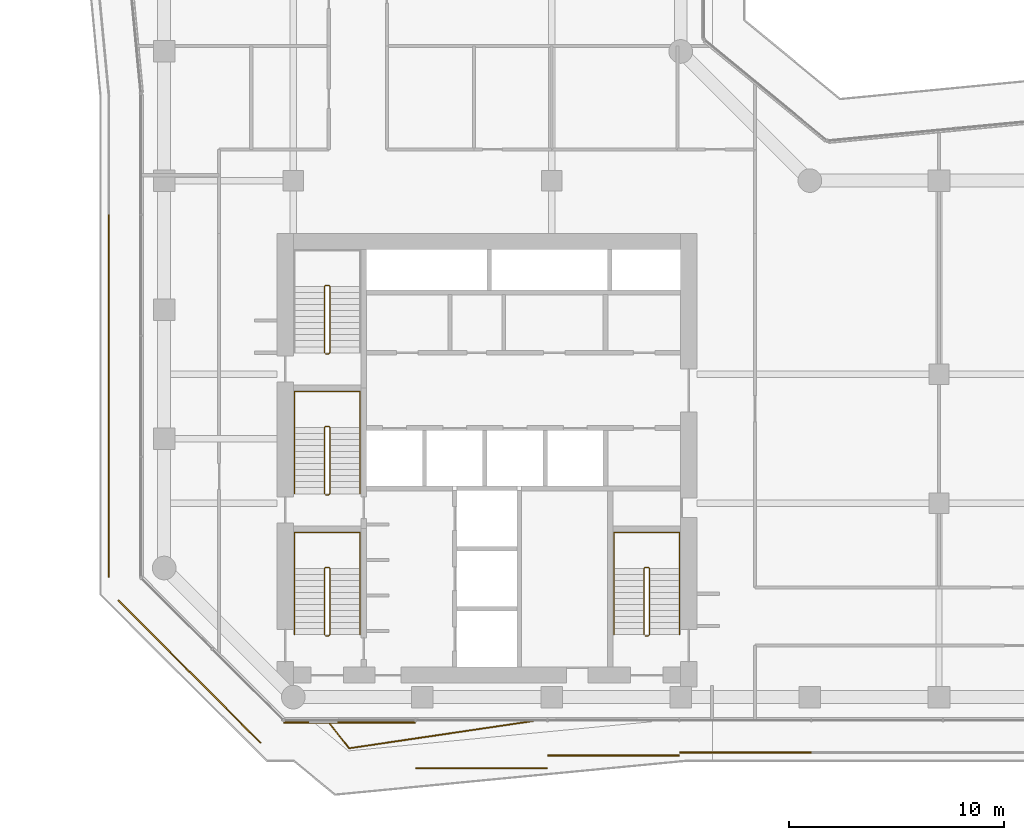
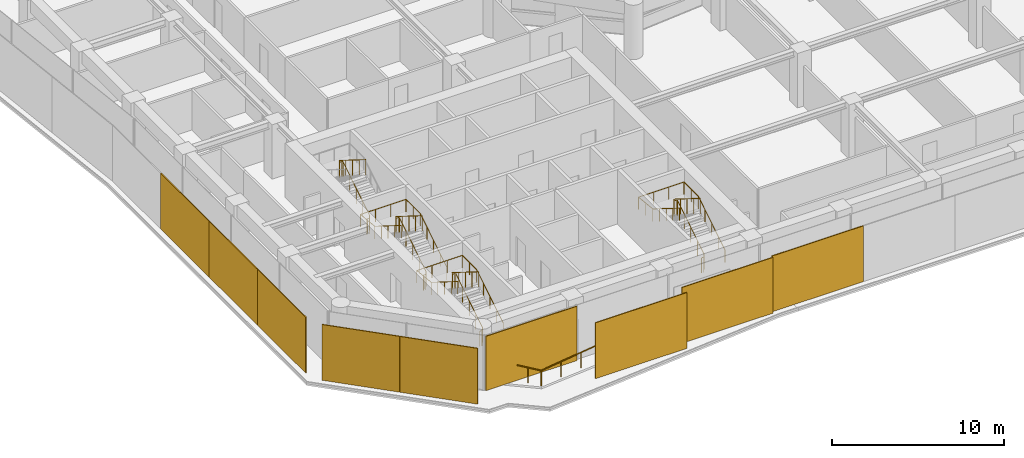
# One storey, part 27 of 28: 9 coverings, 8 railings.
"""IFC4 building model written with IfcOpenShell, lengths in metres."""

import ifcopenshell
import ifcopenshell.guid

model = None  # the IFC model being written
_history = None  # IfcOwnerHistory: only IFC2X3 demands one
_inside = {}  # id of a spatial element -> (the spatial element, [elements in it])
_under = {}  # id of a project, library or spatial element -> (it, [spatial elements below it])
_declared = {}  # id of a project -> (the project, [libraries it declares])
_typed = {}  # id of a type object -> (the type object, [elements of that type])
_made_of = {}  # id of a material, layer set ... -> (it, [elements and type objects made of it])


def new_model(schema):
    """Start an empty IFC model of exactly this schema.

    Asked for "IFC4X3", IfcOpenShell would pick the latest addendum, in which some entities
    have other attributes; the version numbers below select the first issue.
    IFC2X3 requires an IfcOwnerHistory on every rooted entity: one is made here for all.
    """
    global model, _history
    if schema == "IFC4X3":
        model = ifcopenshell.file(schema_version=(4, 3, 0, 0))
    else:
        model = ifcopenshell.file(schema=schema)
    _inside.clear()
    _under.clear()
    _declared.clear()
    _typed.clear()
    _made_of.clear()
    _history = None
    if model.schema == "IFC2X3":
        org = make("IfcOrganization", Name="unknown")
        user = make(
            "IfcPersonAndOrganization",
            ThePerson=make("IfcPerson", FamilyName="unknown"),
            TheOrganization=org,
        )
        app = make(
            "IfcApplication",
            ApplicationDeveloper=org,
            Version="unknown",
            ApplicationFullName="unknown",
            ApplicationIdentifier="unknown",
        )
        _history = make(
            "IfcOwnerHistory",
            OwningUser=user,
            OwningApplication=app,
            ChangeAction="ADDED",
            CreationDate=0,
        )
    return model


def make(cls, **values):
    """One entity of the class cls with the attributes given. An attribute that is None is left unset."""
    return model.create_entity(
        cls, **{name: value for name, value in values.items() if value is not None}
    )


def rooted(cls, **values):
    """An entity with a GlobalId (a new one), such as an element, a storey or a relation."""
    return make(cls, GlobalId=ifcopenshell.guid.new(), OwnerHistory=_history, **values)


def si_unit(unit_type, name, prefix=None):
    """IfcSIUnit, for example si_unit("LENGTHUNIT", "METRE", prefix="MILLI")."""
    return make("IfcSIUnit", UnitType=unit_type, Prefix=prefix, Name=name)


def assignment(units):
    """IfcUnitAssignment: the units of a project."""
    return None if units is None else make("IfcUnitAssignment", Units=units)


def point(xyz):
    """IfcCartesianPoint."""
    return None if xyz is None else make("IfcCartesianPoint", Coordinates=xyz)


def direction(xyz):
    """IfcDirection."""
    return None if xyz is None else make("IfcDirection", DirectionRatios=xyz)


def frame(location, z_axis=None, x_axis=None):
    """IfcAxis2Placement3D, a coordinate frame: its origin and axes. An axis left out is left unset."""
    return make(
        "IfcAxis2Placement3D",
        Location=point(location),
        Axis=direction(z_axis),
        RefDirection=direction(x_axis),
    )


def frame_2d(location, x_axis=None):
    """IfcAxis2Placement2D, a coordinate frame in the plane: its origin and x axis."""
    return make(
        "IfcAxis2Placement2D", Location=point(location), RefDirection=direction(x_axis)
    )


def origin():
    """The frame at (0, 0, 0) with its axes left unset."""
    return frame((0.0, 0.0, 0.0))


def origin_2d():
    """The frame at (0, 0) in the plane with its x axis left unset."""
    return frame_2d((0.0, 0.0))


def place(relative_to, where):
    """IfcLocalPlacement: puts the frame where relative to a parent placement (None: the world)."""
    return make(
        "IfcLocalPlacement", PlacementRelTo=relative_to, RelativePlacement=where
    )


def context(
    kind, dimensions, precision=None, world=None, true_north=None, identifier=None
):
    """IfcGeometricRepresentationContext, for example the 3D "Model" context."""
    return make(
        "IfcGeometricRepresentationContext",
        ContextIdentifier=identifier,
        ContextType=kind,
        CoordinateSpaceDimension=dimensions,
        Precision=precision,
        WorldCoordinateSystem=world,
        TrueNorth=true_north,
    )


def subcontext(parent, identifier, kind, view, scale=None):
    """IfcGeometricRepresentationSubContext, for example "Body" below "Model"."""
    return make(
        "IfcGeometricRepresentationSubContext",
        ContextIdentifier=identifier,
        ContextType=kind,
        ParentContext=parent,
        TargetScale=scale,
        TargetView=view,
    )


def project(units=None, contexts=None):
    """IfcProject with its units and contexts."""
    return rooted(
        "IfcProject",
        Name="project",
        RepresentationContexts=contexts,
        UnitsInContext=assignment(units),
    )


def spatial(cls, under=None, at=None, **own):
    """A site, building, storey or space (cls), placed at a placement, below another one or the project."""
    s = rooted(cls, ObjectPlacement=at, **own)
    if under is not None:
        _under.setdefault(under.id(), (under, []))[1].append(s)
    return s


def profile(cls, at=None, kind="AREA", **sizes):
    """A parametric profile (cls). Its sizes go by their IFC names, for example OverallWidth=200.0."""
    return make(cls, ProfileType=kind, Position=at, **sizes)


def rectangle(**sizes):
    """IfcRectangleProfileDef."""
    return profile("IfcRectangleProfileDef", **sizes)


def circle(**sizes):
    """IfcCircleProfileDef."""
    return profile("IfcCircleProfileDef", **sizes)


def extrude(swept, where, along, depth):
    """IfcExtrudedAreaSolid: the profile swept, set in the frame where, extruded along a direction by depth."""
    return make(
        "IfcExtrudedAreaSolid",
        SweptArea=swept,
        Position=where,
        ExtrudedDirection=direction(along),
        Depth=depth,
    )


def shape(context_of_items, identifier, shape_type, items):
    """IfcShapeRepresentation: the items that make up one representation, for example the "Body"."""
    return make(
        "IfcShapeRepresentation",
        ContextOfItems=context_of_items,
        RepresentationIdentifier=identifier,
        RepresentationType=shape_type,
        Items=items,
    )


def material(Name=None, Category=None):
    """IfcMaterial."""
    return make("IfcMaterial", Name=Name, Category=Category)


def layer(
    of_material, thickness, ventilated=None, Name=None, Category=None, Priority=None
):
    """IfcMaterialLayer: one layer of a wall or slab, of a material (None: an air gap)."""
    return make(
        "IfcMaterialLayer",
        Material=of_material,
        LayerThickness=thickness,
        IsVentilated=ventilated,
        Name=Name,
        Category=Category,
        Priority=Priority,
    )


def layer_set(layers, Name=None):
    """IfcMaterialLayerSet."""
    return make("IfcMaterialLayerSet", MaterialLayers=layers, LayerSetName=Name)


def made_of(thing, what):
    """Note that an element or type object is made of a material, layer set ...; save() writes the relation."""
    if what is not None:
        _made_of.setdefault(what.id(), (what, []))[1].append(thing)
    return thing


def type_object(cls, material=None, **own):
    """A type object (cls), such as IfcWallType, which elements share."""
    return made_of(rooted(cls, **own), material)


def element(
    cls,
    number,
    at=None,
    inside=None,
    cuts=None,
    type_object=None,
    material=None,
    context=None,
    identifier="Body",
    shape_type=None,
    held_by="IfcProductDefinitionShape",
    body=None,
    shapes=None,
    **own,
):
    """One element of the class cls, such as IfcWall. Its Tag is "e" and its number.

    at: its placement. inside: the storey or other place that contains it. cuts: it is an
    opening in that element (IfcRelVoidsElement). A single representation is given by context,
    identifier, shape_type and body (its items); several are given by shapes. held_by: the class
    of the entity that holds the representations. save() writes the other relations.
    """
    e = rooted(cls, Tag="e%d" % number, ObjectPlacement=at, **own)
    if body is not None:
        shapes = [shape(context, identifier, shape_type, body)]
    if shapes is not None:
        e.Representation = make(held_by, Representations=shapes)
    if inside is not None:
        _inside.setdefault(inside.id(), (inside, []))[1].append(e)
    if cuts is not None:
        rooted(
            "IfcRelVoidsElement", RelatingBuildingElement=cuts, RelatedOpeningElement=e
        )
    if type_object is not None:
        _typed.setdefault(type_object.id(), (type_object, []))[1].append(e)
    return made_of(e, material)


def aggregate(whole, parts):
    """IfcRelAggregates: a whole, such as a stair, and the parts it consists of."""
    return rooted("IfcRelAggregates", RelatingObject=whole, RelatedObjects=parts)


def save(model, path):
    """Write the relations noted so far, then the file.

    IfcRelAggregates (storeys below a building ...), IfcRelContainedInSpatialStructure (elements
    in a storey), IfcRelDefinesByType, IfcRelAssociatesMaterial and IfcRelDeclares: one each for
    every whole, place, type object, material and project.
    """
    for whole, parts in _under.values():
        aggregate(whole, parts)
    for where, things in _inside.values():
        rooted(
            "IfcRelContainedInSpatialStructure",
            RelatedElements=things,
            RelatingStructure=where,
        )
    for kind, things in _typed.values():
        rooted("IfcRelDefinesByType", RelatedObjects=things, RelatingType=kind)
    for what, things in _made_of.values():
        rooted("IfcRelAssociatesMaterial", RelatedObjects=things, RelatingMaterial=what)
    for by, libraries in _declared.values():
        rooted("IfcRelDeclares", RelatingContext=by, RelatedDefinitions=libraries)
    model.write(path)


model = new_model("IFC4")

# Units and contexts
model_context = context("Model", 3, precision=1e-05, world=origin(), true_north=direction((0.0, 1.0)))
body_context = subcontext(model_context, "Body", "Model", "MODEL_VIEW")
ifc_project = project(units=[si_unit("LENGTHUNIT", "METRE"), si_unit("AREAUNIT", "SQUARE_METRE"), si_unit("VOLUMEUNIT", "CUBIC_METRE"), si_unit("PLANEANGLEUNIT", "RADIAN"), si_unit("MASSUNIT", "GRAM", prefix="KILO")], contexts=[model_context])

# Site, building, storey
site_placement = place(None, origin())
site = spatial("IfcSite", under=ifc_project, at=site_placement, CompositionType="ELEMENT")
building_placement = place(site_placement, origin())
building = spatial("IfcBuilding", under=site, at=building_placement, Name="Welwitschia Terrace Campus", CompositionType="ELEMENT")
storey_placement = place(building_placement, frame((0.0, 0.0, 87.800048828125)))
storey = spatial("IfcBuildingStorey", under=building, at=storey_placement, Name="L19", CompositionType="ELEMENT", Elevation=87.800048828125)

# Coverings
ifc_material_1 = material(Name="Bronze mesh aluminium screen", Category="aluminium")
ifc_layer = layer(ifc_material_1, 0.06005859375)
ifc_layer_set = layer_set([ifc_layer], Name="Bronze mesh aluminium screen")
covering_type = type_object("IfcCoveringType", Name="Bronze screen 60", PredefinedType="USERDEFINED", material=ifc_layer_set)
for number, where, z_axis, x_axis, name in (
    (1, (-2.572021484375, 23.60546875, 0.0), (0.0, 0.0, 1.0), (0.0, -1.0, 0.0), "Screen L19.1.1"),
    (2, (-2.572021484375, 17.9833984375, 0.0), (0.0, 0.0, 1.0), (0.0, -1.0, 0.0), "Screen L19.1.2"),
    (3, (-2.572021484375, 12.361083984375, 0.0), (0.0, 0.0, 1.0), (0.0, -1.0, 0.0), "Screen L19.1.3"),
):
    element("IfcCovering", number, at=place(storey_placement, frame(where, z_axis=z_axis, x_axis=x_axis)), inside=storey, type_object=covering_type, Name=name, ObjectType="SCREEN", PredefinedType="USERDEFINED", context=body_context, shape_type="SweptSolid", body=[
        extrude(rectangle(XDim=5.60205078125, YDim=0.06005859375, at=origin_2d()), origin(), (0.0, 0.0, 1.0), 3.949951171875),
    ])
for number, where, z_axis, x_axis, name in (
    (4, (-0.477783203125, 6.84033203125, 0.0), (0.0, 0.0, 1.0), (0.707106781187, -0.707106781187, 0.0), "Screen L19.2.0"),
    (5, (2.84033203125, 3.522216796875, 0.0), (0.0, 0.0, 1.0), (0.707106781187, -0.707106781187, 0.0), "Screen L19.2.1"),
):
    element("IfcCovering", number, at=place(storey_placement, frame(where, z_axis=z_axis, x_axis=x_axis)), inside=storey, type_object=covering_type, Name=name, ObjectType="SCREEN", PredefinedType="USERDEFINED", context=body_context, shape_type="SweptSolid", body=[
        extrude(rectangle(XDim=4.672607421875, YDim=0.06005859375, at=origin_2d()), origin(), (0.0, 0.0, 1.0), 3.949951171875),
    ])
covering_placement = place(storey_placement, frame((8.614501953125, 2.823974609375, 0.0), z_axis=(0.0, 0.0, 1.0), x_axis=(1.0, 0.0, 0.0)))
element("IfcCovering", 6, at=covering_placement, inside=storey, type_object=covering_type, Name="Screen L19.3.0", ObjectType="SCREEN", PredefinedType="USERDEFINED", context=body_context, shape_type="SweptSolid", body=[
    extrude(rectangle(XDim=6.1083984375, YDim=0.06005859375, at=origin_2d()), origin(), (0.0, 0.0, 1.0), 3.85009765625),
])
for number, where, z_axis, x_axis, name in (
    (7, (14.742919921875, 0.699951171875, 0.0), (0.0, 0.0, 1.0), (1.0, 0.0, 0.0), "Screen L19.3.1"),
    (8, (20.87158203125, 1.287353515625, 0.0), (0.0, 0.0, 1.0), (1.0, 0.0, 0.0), "Screen L19.3.2"),
    (9, (27.0, 1.427978515625, 0.0), (0.0, 0.0, 1.0), (1.0, 0.0, 0.0), "Screen L19.3.3"),
):
    element("IfcCovering", number, at=place(storey_placement, frame(where, z_axis=z_axis, x_axis=x_axis)), inside=storey, type_object=covering_type, Name=name, ObjectType="SCREEN", PredefinedType="USERDEFINED", context=body_context, shape_type="SweptSolid", body=[
        extrude(rectangle(XDim=6.1083984375, YDim=0.06005859375, at=origin_2d()), origin(), (0.0, 0.0, 1.0), 3.949951171875),
    ])

# Railings
ifc_material_2 = material(Name="Stainless steel grade 316", Category="steel")
railing_type_1 = type_object("IfcRailingType", Name="Guard 1100", PredefinedType="GUARDRAIL", material=ifc_material_2)
railing_1_placement = place(storey_placement, frame((17.31005859375, 2.9140625, 0.0)))
element("IfcRailing", 10, at=railing_1_placement, inside=storey, type_object=railing_type_1, Name="Guard floor edge L19.1", PredefinedType="GUARDRAIL", context=body_context, shape_type="SweptSolid", body=[
    extrude(circle(Radius=0.02392578125, at=origin_2d()), frame((0.0, 0.0, 1.076171875), z_axis=(-0.989236766549, -0.146323681291, 0.0), x_axis=(0.146323681291, -0.989236766549, 0.0)), (0.0, 0.0, 1.0), 8.8095703125),
    extrude(circle(Radius=0.02392578125, at=origin_2d()), frame((-8.71484375, -1.2890625, 1.076171875), z_axis=(-0.619788850319, 0.784768616231, 0.0), x_axis=(-0.784768616231, -0.619788850319, 0.0)), (0.0, 0.0, 1.0), 1.642578125),
    extrude(circle(Radius=0.02099609375, at=origin_2d()), origin(), (0.0, 0.0, 1.0), 1.052001953125),
    extrude(circle(Radius=0.02099609375, at=origin_2d()), frame((-1.452392578125, -0.21484375, 0.0)), (0.0, 0.0, 1.0), 1.052001953125),
    extrude(circle(Radius=0.02099609375, at=origin_2d()), frame((-2.905029296875, -0.4296875, 0.0)), (0.0, 0.0, 1.0), 1.052001953125),
    extrude(circle(Radius=0.02099609375, at=origin_2d()), frame((-4.357421875, -0.64453125, 0.0)), (0.0, 0.0, 1.0), 1.052001953125),
    extrude(circle(Radius=0.02099609375, at=origin_2d()), frame((-5.809814453125, -0.859375, 0.0)), (0.0, 0.0, 1.0), 1.052001953125),
    extrude(circle(Radius=0.02099609375, at=origin_2d()), frame((-7.262451171875, -1.07421875, 0.0)), (0.0, 0.0, 1.0), 1.052001953125),
    extrude(circle(Radius=0.02099609375, at=origin_2d()), frame((-8.71484375, -1.2890625, 0.0)), (0.0, 0.0, 1.0), 1.052001953125),
    extrude(circle(Radius=0.02099609375, at=origin_2d()), frame((-9.223876953125, -0.64453125, 0.0)), (0.0, 0.0, 1.0), 1.052001953125),
    extrude(circle(Radius=0.02099609375, at=origin_2d()), frame((-9.73291015625, 0.0, 0.0)), (0.0, 0.0, 1.0), 1.052001953125),
])
ifc_material_3 = material(Name="Steel S355", Category="steel")
railing_type_2 = type_object("IfcRailingType", Name="Stair guard 1100", PredefinedType="GUARDRAIL", material=ifc_material_3)
railing_2_placement = place(storey_placement, frame((7.5, 6.85009765625, 0.0)))
element("IfcRailing", 11, at=railing_2_placement, inside=storey, type_object=railing_type_2, Name="L19 S1 stair guard", PredefinedType="GUARDRAIL", context=body_context, shape_type="SweptSolid", body=[
    extrude(circle(Radius=0.02392578125, at=origin_2d()), frame((0.0, 0.0, 1.076171875), z_axis=(1.0, 0.0, 0.0), x_axis=(0.0, 1.0, 0.0)), (0.0, 0.0, 1.0), 0.14990234375),
    extrude(circle(Radius=0.02392578125, at=origin_2d()), frame((0.14990234375, 0.0, 1.076171875), z_axis=(0.265155923931, 0.263862480399, 0.927399011991), x_axis=(-0.705375805398, 0.708833529934, 0.0)), (0.0, 0.0, 1.0), 0.188720703125),
    extrude(circle(Radius=0.02392578125, at=origin_2d()), frame((0.199951171875, 0.0498046875, 1.2509765625), z_axis=(0.0, 0.848028513186, 0.529950602248), x_axis=(-1.0, 0.0, 0.0)), (0.0, 0.0, 1.0), 3.632080078125),
    extrude(circle(Radius=0.02392578125, at=origin_2d()), frame((0.199951171875, 3.1298828125, 3.17578125), z_axis=(-0.707106781187, 0.707106781187, 0.0), x_axis=(-0.707106781187, -0.707106781187, 0.0)), (0.0, 0.0, 1.0), 0.07080078125),
    extrude(circle(Radius=0.02392578125, at=origin_2d()), frame((0.14990234375, 3.179931640625, 3.17578125), z_axis=(-1.0, 0.0, 0.0), x_axis=(0.0, -1.0, 0.0)), (0.0, 0.0, 1.0), 0.14990234375),
    extrude(circle(Radius=0.02392578125, at=origin_2d()), frame((0.0, 3.179931640625, 3.17578125), z_axis=(-0.265065253269, -0.265065253269, 0.927081885822), x_axis=(0.707106781187, -0.707106781187, 0.0)), (0.0, 0.0, 1.0), 0.188720703125),
    extrude(circle(Radius=0.02392578125, at=origin_2d()), frame((-0.050048828125, 3.1298828125, 3.35107421875), z_axis=(0.0, -0.847998304005, 0.529998940003), x_axis=(1.0, 0.0, 0.0)), (0.0, 0.0, 1.0), 3.632080078125),
    extrude(circle(Radius=0.02099609375, at=origin_2d()), origin(), (0.0, 0.0, 1.0), 1.052001953125),
    extrude(circle(Radius=0.02099609375, at=origin_2d()), frame((0.14990234375, 0.0, 0.0)), (0.0, 0.0, 1.0), 1.052001953125),
    extrude(circle(Radius=0.02099609375, at=origin_2d()), frame((0.199951171875, 0.0498046875, 0.175048828125)), (0.0, 0.0, 1.0), 1.052001953125),
    extrude(circle(Radius=0.02099609375, at=origin_2d()), frame((0.199951171875, 0.81982421875, 0.65625)), (0.0, 0.0, 1.0), 1.052001953125),
    extrude(circle(Radius=0.02099609375, at=origin_2d()), frame((0.199951171875, 1.58984375, 1.137451171875)), (0.0, 0.0, 1.0), 1.052001953125),
    extrude(circle(Radius=0.02099609375, at=origin_2d()), frame((0.199951171875, 2.35986328125, 1.61865234375)), (0.0, 0.0, 1.0), 1.052001953125),
    extrude(circle(Radius=0.02099609375, at=origin_2d()), frame((0.199951171875, 3.1298828125, 2.099853515625)), (0.0, 0.0, 1.0), 1.052001953125),
    extrude(circle(Radius=0.02099609375, at=origin_2d()), frame((0.14990234375, 3.179931640625, 2.099853515625)), (0.0, 0.0, 1.0), 1.052001953125),
    extrude(circle(Radius=0.02099609375, at=origin_2d()), frame((0.0, 3.179931640625, 2.099853515625)), (0.0, 0.0, 1.0), 1.052001953125),
    extrude(circle(Radius=0.02099609375, at=origin_2d()), frame((-0.050048828125, 3.1298828125, 2.27490234375)), (0.0, 0.0, 1.0), 1.052001953125),
    extrude(circle(Radius=0.02099609375, at=origin_2d()), frame((-0.050048828125, 2.35986328125, 2.756103515625)), (0.0, 0.0, 1.0), 1.052001953125),
    extrude(circle(Radius=0.02099609375, at=origin_2d()), frame((-0.050048828125, 1.58984375, 3.2373046875)), (0.0, 0.0, 1.0), 1.052001953125),
    extrude(circle(Radius=0.02099609375, at=origin_2d()), frame((-0.050048828125, 0.81982421875, 3.71875)), (0.0, 0.0, 1.0), 1.052001953125),
    extrude(circle(Radius=0.02099609375, at=origin_2d()), frame((-0.050048828125, 0.0498046875, 4.199951171875)), (0.0, 0.0, 1.0), 1.052001953125),
])
railing_3_placement = place(storey_placement, frame((7.5, 13.39990234375, 0.0)))
element("IfcRailing", 12, at=railing_3_placement, inside=storey, type_object=railing_type_2, Name="L19 S3 stair guard", PredefinedType="GUARDRAIL", context=body_context, shape_type="SweptSolid", body=[
    extrude(circle(Radius=0.02392578125, at=origin_2d()), frame((0.0, 0.0, 1.076171875), z_axis=(1.0, 0.0, 0.0), x_axis=(0.0, 1.0, 0.0)), (0.0, 0.0, 1.0), 0.14990234375),
    extrude(circle(Radius=0.02392578125, at=origin_2d()), frame((0.14990234375, 0.0, 1.076171875), z_axis=(0.265065253269, 0.265065253269, 0.927081885822), x_axis=(-0.707106781187, 0.707106781187, 0.0)), (0.0, 0.0, 1.0), 0.188720703125),
    extrude(circle(Radius=0.02392578125, at=origin_2d()), frame((0.199951171875, 0.050048828125, 1.2509765625), z_axis=(0.0, 0.848028513186, 0.529950602248), x_axis=(-1.0, 0.0, 0.0)), (0.0, 0.0, 1.0), 3.632080078125),
    extrude(circle(Radius=0.02392578125, at=origin_2d()), frame((0.199951171875, 3.130126953125, 3.17578125), z_axis=(-0.707106781187, 0.707106781187, 0.0), x_axis=(-0.707106781187, -0.707106781187, 0.0)), (0.0, 0.0, 1.0), 0.07080078125),
    extrude(circle(Radius=0.02392578125, at=origin_2d()), frame((0.14990234375, 3.18017578125, 3.17578125), z_axis=(-1.0, 0.0, 0.0), x_axis=(0.0, -1.0, 0.0)), (0.0, 0.0, 1.0), 0.14990234375),
    extrude(circle(Radius=0.02392578125, at=origin_2d()), frame((0.0, 3.18017578125, 3.17578125), z_axis=(-0.265065253269, -0.265065253269, 0.927081885822), x_axis=(0.707106781187, -0.707106781187, 0.0)), (0.0, 0.0, 1.0), 0.188720703125),
    extrude(circle(Radius=0.02392578125, at=origin_2d()), frame((-0.050048828125, 3.130126953125, 3.35107421875), z_axis=(0.0, -0.847998304005, 0.529998940003), x_axis=(1.0, 0.0, 0.0)), (0.0, 0.0, 1.0), 3.632080078125),
    extrude(circle(Radius=0.02099609375, at=origin_2d()), origin(), (0.0, 0.0, 1.0), 1.052001953125),
    extrude(circle(Radius=0.02099609375, at=origin_2d()), frame((0.14990234375, 0.0, 0.0)), (0.0, 0.0, 1.0), 1.052001953125),
    extrude(circle(Radius=0.02099609375, at=origin_2d()), frame((0.199951171875, 0.050048828125, 0.175048828125)), (0.0, 0.0, 1.0), 1.052001953125),
    extrude(circle(Radius=0.02099609375, at=origin_2d()), frame((0.199951171875, 0.820068359375, 0.65625)), (0.0, 0.0, 1.0), 1.052001953125),
    extrude(circle(Radius=0.02099609375, at=origin_2d()), frame((0.199951171875, 1.590087890625, 1.137451171875)), (0.0, 0.0, 1.0), 1.052001953125),
    extrude(circle(Radius=0.02099609375, at=origin_2d()), frame((0.199951171875, 2.360107421875, 1.61865234375)), (0.0, 0.0, 1.0), 1.052001953125),
    extrude(circle(Radius=0.02099609375, at=origin_2d()), frame((0.199951171875, 3.130126953125, 2.099853515625)), (0.0, 0.0, 1.0), 1.052001953125),
    extrude(circle(Radius=0.02099609375, at=origin_2d()), frame((0.14990234375, 3.18017578125, 2.099853515625)), (0.0, 0.0, 1.0), 1.052001953125),
    extrude(circle(Radius=0.02099609375, at=origin_2d()), frame((0.0, 3.18017578125, 2.099853515625)), (0.0, 0.0, 1.0), 1.052001953125),
    extrude(circle(Radius=0.02099609375, at=origin_2d()), frame((-0.050048828125, 3.130126953125, 2.27490234375)), (0.0, 0.0, 1.0), 1.052001953125),
    extrude(circle(Radius=0.02099609375, at=origin_2d()), frame((-0.050048828125, 2.360107421875, 2.756103515625)), (0.0, 0.0, 1.0), 1.052001953125),
    extrude(circle(Radius=0.02099609375, at=origin_2d()), frame((-0.050048828125, 1.590087890625, 3.2373046875)), (0.0, 0.0, 1.0), 1.052001953125),
    extrude(circle(Radius=0.02099609375, at=origin_2d()), frame((-0.050048828125, 0.820068359375, 3.71875)), (0.0, 0.0, 1.0), 1.052001953125),
    extrude(circle(Radius=0.02099609375, at=origin_2d()), frame((-0.050048828125, 0.050048828125, 4.199951171875)), (0.0, 0.0, 1.0), 1.052001953125),
])
railing_4_placement = place(storey_placement, frame((7.5, 19.949951171875, 0.0)))
element("IfcRailing", 13, at=railing_4_placement, inside=storey, type_object=railing_type_2, Name="L19 S4 stair guard", PredefinedType="GUARDRAIL", context=body_context, shape_type="SweptSolid", body=[
    extrude(circle(Radius=0.02392578125, at=origin_2d()), frame((0.0, 0.0, 1.076171875), z_axis=(1.0, 0.0, 0.0), x_axis=(0.0, 1.0, 0.0)), (0.0, 0.0, 1.0), 0.14990234375),
    extrude(circle(Radius=0.02392578125, at=origin_2d()), frame((0.14990234375, 0.0, 1.076171875), z_axis=(0.265065253269, 0.265065253269, 0.927081885822), x_axis=(-0.707106781187, 0.707106781187, 0.0)), (0.0, 0.0, 1.0), 0.188720703125),
    extrude(circle(Radius=0.02392578125, at=origin_2d()), frame((0.199951171875, 0.050048828125, 1.2509765625), z_axis=(0.0, 0.848028513186, 0.529950602248), x_axis=(-1.0, 0.0, 0.0)), (0.0, 0.0, 1.0), 3.632080078125),
    extrude(circle(Radius=0.02392578125, at=origin_2d()), frame((0.199951171875, 3.130126953125, 3.17578125), z_axis=(-0.708833529934, 0.705375805398, 0.0), x_axis=(-0.705375805398, -0.708833529934, 0.0)), (0.0, 0.0, 1.0), 0.070556640625),
    extrude(circle(Radius=0.02392578125, at=origin_2d()), frame((0.14990234375, 3.179931640625, 3.17578125), z_axis=(-1.0, 0.0, 0.0), x_axis=(0.0, -1.0, 0.0)), (0.0, 0.0, 1.0), 0.14990234375),
    extrude(circle(Radius=0.02392578125, at=origin_2d()), frame((0.0, 3.179931640625, 3.17578125), z_axis=(-0.265155923931, -0.263862480399, 0.927399011991), x_axis=(0.705375805398, -0.708833529934, 0.0)), (0.0, 0.0, 1.0), 0.188720703125),
    extrude(circle(Radius=0.02392578125, at=origin_2d()), frame((-0.050048828125, 3.130126953125, 3.35107421875), z_axis=(0.0, -0.847998304005, 0.529998940003), x_axis=(1.0, 0.0, 0.0)), (0.0, 0.0, 1.0), 3.632080078125),
    extrude(circle(Radius=0.02099609375, at=origin_2d()), origin(), (0.0, 0.0, 1.0), 1.052001953125),
    extrude(circle(Radius=0.02099609375, at=origin_2d()), frame((0.14990234375, 0.0, 0.0)), (0.0, 0.0, 1.0), 1.052001953125),
    extrude(circle(Radius=0.02099609375, at=origin_2d()), frame((0.199951171875, 0.050048828125, 0.175048828125)), (0.0, 0.0, 1.0), 1.052001953125),
    extrude(circle(Radius=0.02099609375, at=origin_2d()), frame((0.199951171875, 0.820068359375, 0.65625)), (0.0, 0.0, 1.0), 1.052001953125),
    extrude(circle(Radius=0.02099609375, at=origin_2d()), frame((0.199951171875, 1.590087890625, 1.137451171875)), (0.0, 0.0, 1.0), 1.052001953125),
    extrude(circle(Radius=0.02099609375, at=origin_2d()), frame((0.199951171875, 2.360107421875, 1.61865234375)), (0.0, 0.0, 1.0), 1.052001953125),
    extrude(circle(Radius=0.02099609375, at=origin_2d()), frame((0.199951171875, 3.130126953125, 2.099853515625)), (0.0, 0.0, 1.0), 1.052001953125),
    extrude(circle(Radius=0.02099609375, at=origin_2d()), frame((0.14990234375, 3.179931640625, 2.099853515625)), (0.0, 0.0, 1.0), 1.052001953125),
    extrude(circle(Radius=0.02099609375, at=origin_2d()), frame((0.0, 3.179931640625, 2.099853515625)), (0.0, 0.0, 1.0), 1.052001953125),
    extrude(circle(Radius=0.02099609375, at=origin_2d()), frame((-0.050048828125, 3.130126953125, 2.27490234375)), (0.0, 0.0, 1.0), 1.052001953125),
    extrude(circle(Radius=0.02099609375, at=origin_2d()), frame((-0.050048828125, 2.360107421875, 2.756103515625)), (0.0, 0.0, 1.0), 1.052001953125),
    extrude(circle(Radius=0.02099609375, at=origin_2d()), frame((-0.050048828125, 1.590087890625, 3.2373046875)), (0.0, 0.0, 1.0), 1.052001953125),
    extrude(circle(Radius=0.02099609375, at=origin_2d()), frame((-0.050048828125, 0.820068359375, 3.71875)), (0.0, 0.0, 1.0), 1.052001953125),
    extrude(circle(Radius=0.02099609375, at=origin_2d()), frame((-0.050048828125, 0.050048828125, 4.199951171875)), (0.0, 0.0, 1.0), 1.052001953125),
])
railing_5_placement = place(storey_placement, frame((22.35009765625, 6.85009765625, 0.0)))
element("IfcRailing", 14, at=railing_5_placement, inside=storey, type_object=railing_type_2, Name="L19 S2 stair guard", PredefinedType="GUARDRAIL", context=body_context, shape_type="SweptSolid", body=[
    extrude(circle(Radius=0.02392578125, at=origin_2d()), frame((0.0, 0.0, 1.076171875), z_axis=(1.0, 0.0, 0.0), x_axis=(0.0, 1.0, 0.0)), (0.0, 0.0, 1.0), 0.14990234375),
    extrude(circle(Radius=0.02392578125, at=origin_2d()), frame((0.14990234375, 0.0, 1.076171875), z_axis=(0.265155923931, 0.263862480399, 0.927399011991), x_axis=(-0.705375805398, 0.708833529934, 0.0)), (0.0, 0.0, 1.0), 0.188720703125),
    extrude(circle(Radius=0.02392578125, at=origin_2d()), frame((0.199951171875, 0.0498046875, 1.2509765625), z_axis=(0.0, 0.848028513186, 0.529950602248), x_axis=(-1.0, 0.0, 0.0)), (0.0, 0.0, 1.0), 3.632080078125),
    extrude(circle(Radius=0.02392578125, at=origin_2d()), frame((0.199951171875, 3.1298828125, 3.17578125), z_axis=(-0.707106781187, 0.707106781187, 0.0), x_axis=(-0.707106781187, -0.707106781187, 0.0)), (0.0, 0.0, 1.0), 0.07080078125),
    extrude(circle(Radius=0.02392578125, at=origin_2d()), frame((0.14990234375, 3.179931640625, 3.17578125), z_axis=(-1.0, 0.0, 0.0), x_axis=(0.0, -1.0, 0.0)), (0.0, 0.0, 1.0), 0.14990234375),
    extrude(circle(Radius=0.02392578125, at=origin_2d()), frame((0.0, 3.179931640625, 3.17578125), z_axis=(-0.265065253269, -0.265065253269, 0.927081885822), x_axis=(0.707106781187, -0.707106781187, 0.0)), (0.0, 0.0, 1.0), 0.188720703125),
    extrude(circle(Radius=0.02392578125, at=origin_2d()), frame((-0.050048828125, 3.1298828125, 3.35107421875), z_axis=(0.0, -0.847998304005, 0.529998940003), x_axis=(1.0, 0.0, 0.0)), (0.0, 0.0, 1.0), 3.632080078125),
    extrude(circle(Radius=0.02099609375, at=origin_2d()), origin(), (0.0, 0.0, 1.0), 1.052001953125),
    extrude(circle(Radius=0.02099609375, at=origin_2d()), frame((0.14990234375, 0.0, 0.0)), (0.0, 0.0, 1.0), 1.052001953125),
    extrude(circle(Radius=0.02099609375, at=origin_2d()), frame((0.199951171875, 0.0498046875, 0.175048828125)), (0.0, 0.0, 1.0), 1.052001953125),
    extrude(circle(Radius=0.02099609375, at=origin_2d()), frame((0.199951171875, 0.81982421875, 0.65625)), (0.0, 0.0, 1.0), 1.052001953125),
    extrude(circle(Radius=0.02099609375, at=origin_2d()), frame((0.199951171875, 1.58984375, 1.137451171875)), (0.0, 0.0, 1.0), 1.052001953125),
    extrude(circle(Radius=0.02099609375, at=origin_2d()), frame((0.199951171875, 2.35986328125, 1.61865234375)), (0.0, 0.0, 1.0), 1.052001953125),
    extrude(circle(Radius=0.02099609375, at=origin_2d()), frame((0.199951171875, 3.1298828125, 2.099853515625)), (0.0, 0.0, 1.0), 1.052001953125),
    extrude(circle(Radius=0.02099609375, at=origin_2d()), frame((0.14990234375, 3.179931640625, 2.099853515625)), (0.0, 0.0, 1.0), 1.052001953125),
    extrude(circle(Radius=0.02099609375, at=origin_2d()), frame((0.0, 3.179931640625, 2.099853515625)), (0.0, 0.0, 1.0), 1.052001953125),
    extrude(circle(Radius=0.02099609375, at=origin_2d()), frame((-0.050048828125, 3.1298828125, 2.27490234375)), (0.0, 0.0, 1.0), 1.052001953125),
    extrude(circle(Radius=0.02099609375, at=origin_2d()), frame((-0.050048828125, 2.35986328125, 2.756103515625)), (0.0, 0.0, 1.0), 1.052001953125),
    extrude(circle(Radius=0.02099609375, at=origin_2d()), frame((-0.050048828125, 1.58984375, 3.2373046875)), (0.0, 0.0, 1.0), 1.052001953125),
    extrude(circle(Radius=0.02099609375, at=origin_2d()), frame((-0.050048828125, 0.81982421875, 3.71875)), (0.0, 0.0, 1.0), 1.052001953125),
    extrude(circle(Radius=0.02099609375, at=origin_2d()), frame((-0.050048828125, 0.0498046875, 4.199951171875)), (0.0, 0.0, 1.0), 1.052001953125),
])
ifc_material_4 = material(Name="Steel S355", Category="steel")
railing_type_3 = type_object("IfcRailingType", Name="Stair handrail 900", PredefinedType="HANDRAIL", material=ifc_material_4)
railing_6_placement = place(storey_placement, frame((9.10009765625, 6.89990234375, 0.175048828125)))
element("IfcRailing", 15, at=railing_6_placement, inside=storey, type_object=railing_type_3, Name="L19 S1 stair handrail", PredefinedType="HANDRAIL", context=body_context, shape_type="SweptSolid", body=[
    extrude(circle(Radius=0.02392578125, at=origin_2d()), frame((0.0, 0.0, 0.8759765625), z_axis=(0.0, 0.848028513186, 0.529950602248), x_axis=(-1.0, 0.0, 0.0)), (0.0, 0.0, 1.0), 3.632080078125),
    extrude(circle(Radius=0.02392578125, at=origin_2d()), frame((0.0, 3.080078125, 2.80078125), z_axis=(0.0, 1.0, 0.0), x_axis=(-1.0, 0.0, 0.0)), (0.0, 0.0, 1.0), 1.669921875),
    extrude(circle(Radius=0.02392578125, at=origin_2d()), frame((0.0, 4.75, 2.80078125), z_axis=(-1.0, 0.0, 0.0), x_axis=(0.0, -1.0, 0.0)), (0.0, 0.0, 1.0), 3.050048828125),
    extrude(circle(Radius=0.02392578125, at=origin_2d()), frame((-3.050048828125, 4.75, 2.80078125), z_axis=(0.0, -0.99455077262, 0.104253348533), x_axis=(1.0, 0.0, 0.0)), (0.0, 0.0, 1.0), 1.678955078125),
    extrude(circle(Radius=0.02392578125, at=origin_2d()), frame((-3.050048828125, 3.080078125, 2.9755859375), z_axis=(0.0, -0.847998304005, 0.529998940003), x_axis=(1.0, 0.0, 0.0)), (0.0, 0.0, 1.0), 3.632080078125),
    extrude(circle(Radius=0.02099609375, at=origin_2d()), origin(), (0.0, 0.0, 1.0), 0.851806640625),
    extrude(circle(Radius=0.02099609375, at=origin_2d()), frame((0.0, 0.77001953125, 0.481201171875)), (0.0, 0.0, 1.0), 0.851806640625),
    extrude(circle(Radius=0.02099609375, at=origin_2d()), frame((0.0, 1.5400390625, 0.96240234375)), (0.0, 0.0, 1.0), 0.851806640625),
    extrude(circle(Radius=0.02099609375, at=origin_2d()), frame((0.0, 2.31005859375, 1.443603515625)), (0.0, 0.0, 1.0), 0.851806640625),
    extrude(circle(Radius=0.02099609375, at=origin_2d()), frame((0.0, 3.080078125, 1.9248046875)), (0.0, 0.0, 1.0), 0.851806640625),
    extrude(circle(Radius=0.02099609375, at=origin_2d()), frame((0.0, 3.9150390625, 1.9248046875)), (0.0, 0.0, 1.0), 0.851806640625),
    extrude(circle(Radius=0.02099609375, at=origin_2d()), frame((0.0, 4.75, 1.9248046875)), (0.0, 0.0, 1.0), 0.851806640625),
    extrude(circle(Radius=0.02099609375, at=origin_2d()), frame((-1.0166015625, 4.75, 1.9248046875)), (0.0, 0.0, 1.0), 0.851806640625),
    extrude(circle(Radius=0.02099609375, at=origin_2d()), frame((-2.033447265625, 4.75, 1.9248046875)), (0.0, 0.0, 1.0), 0.851806640625),
    extrude(circle(Radius=0.02099609375, at=origin_2d()), frame((-3.050048828125, 4.75, 1.9248046875)), (0.0, 0.0, 1.0), 0.851806640625),
    extrude(circle(Radius=0.02099609375, at=origin_2d()), frame((-3.050048828125, 3.9150390625, 2.01220703125)), (0.0, 0.0, 1.0), 0.851806640625),
    extrude(circle(Radius=0.02099609375, at=origin_2d()), frame((-3.050048828125, 3.080078125, 2.099853515625)), (0.0, 0.0, 1.0), 0.851806640625),
    extrude(circle(Radius=0.02099609375, at=origin_2d()), frame((-3.050048828125, 2.31005859375, 2.5810546875)), (0.0, 0.0, 1.0), 0.851806640625),
    extrude(circle(Radius=0.02099609375, at=origin_2d()), frame((-3.050048828125, 1.5400390625, 3.0625)), (0.0, 0.0, 1.0), 0.851806640625),
    extrude(circle(Radius=0.02099609375, at=origin_2d()), frame((-3.050048828125, 0.77001953125, 3.543701171875)), (0.0, 0.0, 1.0), 0.851806640625),
    extrude(circle(Radius=0.02099609375, at=origin_2d()), frame((-3.050048828125, 0.0, 4.02490234375)), (0.0, 0.0, 1.0), 0.851806640625),
])
railing_7_placement = place(storey_placement, frame((9.10009765625, 13.449951171875, 0.175048828125)))
element("IfcRailing", 16, at=railing_7_placement, inside=storey, type_object=railing_type_3, Name="L19 S3 stair handrail", PredefinedType="HANDRAIL", context=body_context, shape_type="SweptSolid", body=[
    extrude(circle(Radius=0.02392578125, at=origin_2d()), frame((0.0, 0.0, 0.8759765625), z_axis=(0.0, 0.848028513186, 0.529950602248), x_axis=(-1.0, 0.0, 0.0)), (0.0, 0.0, 1.0), 3.632080078125),
    extrude(circle(Radius=0.02392578125, at=origin_2d()), frame((0.0, 3.080078125, 2.80078125), z_axis=(0.0, 1.0, 0.0), x_axis=(-1.0, 0.0, 0.0)), (0.0, 0.0, 1.0), 1.669921875),
    extrude(circle(Radius=0.02392578125, at=origin_2d()), frame((0.0, 4.75, 2.80078125), z_axis=(-1.0, 0.0, 0.0), x_axis=(0.0, -1.0, 0.0)), (0.0, 0.0, 1.0), 3.050048828125),
    extrude(circle(Radius=0.02392578125, at=origin_2d()), frame((-3.050048828125, 4.75, 2.80078125), z_axis=(0.0, -0.99455077262, 0.104253348533), x_axis=(1.0, 0.0, 0.0)), (0.0, 0.0, 1.0), 1.678955078125),
    extrude(circle(Radius=0.02392578125, at=origin_2d()), frame((-3.050048828125, 3.080078125, 2.9755859375), z_axis=(0.0, -0.847998304005, 0.529998940003), x_axis=(1.0, 0.0, 0.0)), (0.0, 0.0, 1.0), 3.632080078125),
    extrude(circle(Radius=0.02099609375, at=origin_2d()), origin(), (0.0, 0.0, 1.0), 0.851806640625),
    extrude(circle(Radius=0.02099609375, at=origin_2d()), frame((0.0, 0.77001953125, 0.481201171875)), (0.0, 0.0, 1.0), 0.851806640625),
    extrude(circle(Radius=0.02099609375, at=origin_2d()), frame((0.0, 1.5400390625, 0.96240234375)), (0.0, 0.0, 1.0), 0.851806640625),
    extrude(circle(Radius=0.02099609375, at=origin_2d()), frame((0.0, 2.31005859375, 1.443603515625)), (0.0, 0.0, 1.0), 0.851806640625),
    extrude(circle(Radius=0.02099609375, at=origin_2d()), frame((0.0, 3.080078125, 1.9248046875)), (0.0, 0.0, 1.0), 0.851806640625),
    extrude(circle(Radius=0.02099609375, at=origin_2d()), frame((0.0, 3.9150390625, 1.9248046875)), (0.0, 0.0, 1.0), 0.851806640625),
    extrude(circle(Radius=0.02099609375, at=origin_2d()), frame((0.0, 4.75, 1.9248046875)), (0.0, 0.0, 1.0), 0.851806640625),
    extrude(circle(Radius=0.02099609375, at=origin_2d()), frame((-1.0166015625, 4.75, 1.9248046875)), (0.0, 0.0, 1.0), 0.851806640625),
    extrude(circle(Radius=0.02099609375, at=origin_2d()), frame((-2.033447265625, 4.75, 1.9248046875)), (0.0, 0.0, 1.0), 0.851806640625),
    extrude(circle(Radius=0.02099609375, at=origin_2d()), frame((-3.050048828125, 4.75, 1.9248046875)), (0.0, 0.0, 1.0), 0.851806640625),
    extrude(circle(Radius=0.02099609375, at=origin_2d()), frame((-3.050048828125, 3.9150390625, 2.01220703125)), (0.0, 0.0, 1.0), 0.851806640625),
    extrude(circle(Radius=0.02099609375, at=origin_2d()), frame((-3.050048828125, 3.080078125, 2.099853515625)), (0.0, 0.0, 1.0), 0.851806640625),
    extrude(circle(Radius=0.02099609375, at=origin_2d()), frame((-3.050048828125, 2.31005859375, 2.5810546875)), (0.0, 0.0, 1.0), 0.851806640625),
    extrude(circle(Radius=0.02099609375, at=origin_2d()), frame((-3.050048828125, 1.5400390625, 3.0625)), (0.0, 0.0, 1.0), 0.851806640625),
    extrude(circle(Radius=0.02099609375, at=origin_2d()), frame((-3.050048828125, 0.77001953125, 3.543701171875)), (0.0, 0.0, 1.0), 0.851806640625),
    extrude(circle(Radius=0.02099609375, at=origin_2d()), frame((-3.050048828125, 0.0, 4.02490234375)), (0.0, 0.0, 1.0), 0.851806640625),
])
railing_8_placement = place(storey_placement, frame((23.949951171875, 6.89990234375, 0.175048828125)))
element("IfcRailing", 17, at=railing_8_placement, inside=storey, type_object=railing_type_3, Name="L19 S2 stair handrail", PredefinedType="HANDRAIL", context=body_context, shape_type="SweptSolid", body=[
    extrude(circle(Radius=0.02392578125, at=origin_2d()), frame((0.0, 0.0, 0.8759765625), z_axis=(0.0, 0.848028513186, 0.529950602248), x_axis=(-1.0, 0.0, 0.0)), (0.0, 0.0, 1.0), 3.632080078125),
    extrude(circle(Radius=0.02392578125, at=origin_2d()), frame((0.0, 3.080078125, 2.80078125), z_axis=(0.0, 1.0, 0.0), x_axis=(-1.0, 0.0, 0.0)), (0.0, 0.0, 1.0), 1.669921875),
    extrude(circle(Radius=0.02392578125, at=origin_2d()), frame((0.0, 4.75, 2.80078125), z_axis=(-1.0, 0.0, 0.0), x_axis=(0.0, -1.0, 0.0)), (0.0, 0.0, 1.0), 3.050048828125),
    extrude(circle(Radius=0.02392578125, at=origin_2d()), frame((-3.050048828125, 4.75, 2.80078125), z_axis=(0.0, -0.99455077262, 0.104253348533), x_axis=(1.0, 0.0, 0.0)), (0.0, 0.0, 1.0), 1.678955078125),
    extrude(circle(Radius=0.02392578125, at=origin_2d()), frame((-3.050048828125, 3.080078125, 2.9755859375), z_axis=(0.0, -0.847998304005, 0.529998940003), x_axis=(1.0, 0.0, 0.0)), (0.0, 0.0, 1.0), 3.632080078125),
    extrude(circle(Radius=0.02099609375, at=origin_2d()), origin(), (0.0, 0.0, 1.0), 0.851806640625),
    extrude(circle(Radius=0.02099609375, at=origin_2d()), frame((0.0, 0.77001953125, 0.481201171875)), (0.0, 0.0, 1.0), 0.851806640625),
    extrude(circle(Radius=0.02099609375, at=origin_2d()), frame((0.0, 1.5400390625, 0.96240234375)), (0.0, 0.0, 1.0), 0.851806640625),
    extrude(circle(Radius=0.02099609375, at=origin_2d()), frame((0.0, 2.31005859375, 1.443603515625)), (0.0, 0.0, 1.0), 0.851806640625),
    extrude(circle(Radius=0.02099609375, at=origin_2d()), frame((0.0, 3.080078125, 1.9248046875)), (0.0, 0.0, 1.0), 0.851806640625),
    extrude(circle(Radius=0.02099609375, at=origin_2d()), frame((0.0, 3.9150390625, 1.9248046875)), (0.0, 0.0, 1.0), 0.851806640625),
    extrude(circle(Radius=0.02099609375, at=origin_2d()), frame((0.0, 4.75, 1.9248046875)), (0.0, 0.0, 1.0), 0.851806640625),
    extrude(circle(Radius=0.02099609375, at=origin_2d()), frame((-1.0166015625, 4.75, 1.9248046875)), (0.0, 0.0, 1.0), 0.851806640625),
    extrude(circle(Radius=0.02099609375, at=origin_2d()), frame((-2.033447265625, 4.75, 1.9248046875)), (0.0, 0.0, 1.0), 0.851806640625),
    extrude(circle(Radius=0.02099609375, at=origin_2d()), frame((-3.050048828125, 4.75, 1.9248046875)), (0.0, 0.0, 1.0), 0.851806640625),
    extrude(circle(Radius=0.02099609375, at=origin_2d()), frame((-3.050048828125, 3.9150390625, 2.01220703125)), (0.0, 0.0, 1.0), 0.851806640625),
    extrude(circle(Radius=0.02099609375, at=origin_2d()), frame((-3.050048828125, 3.080078125, 2.099853515625)), (0.0, 0.0, 1.0), 0.851806640625),
    extrude(circle(Radius=0.02099609375, at=origin_2d()), frame((-3.050048828125, 2.31005859375, 2.5810546875)), (0.0, 0.0, 1.0), 0.851806640625),
    extrude(circle(Radius=0.02099609375, at=origin_2d()), frame((-3.050048828125, 1.5400390625, 3.0625)), (0.0, 0.0, 1.0), 0.851806640625),
    extrude(circle(Radius=0.02099609375, at=origin_2d()), frame((-3.050048828125, 0.77001953125, 3.543701171875)), (0.0, 0.0, 1.0), 0.851806640625),
    extrude(circle(Radius=0.02099609375, at=origin_2d()), frame((-3.050048828125, 0.0, 4.02490234375)), (0.0, 0.0, 1.0), 0.851806640625),
])

save(model, "model.ifc")
